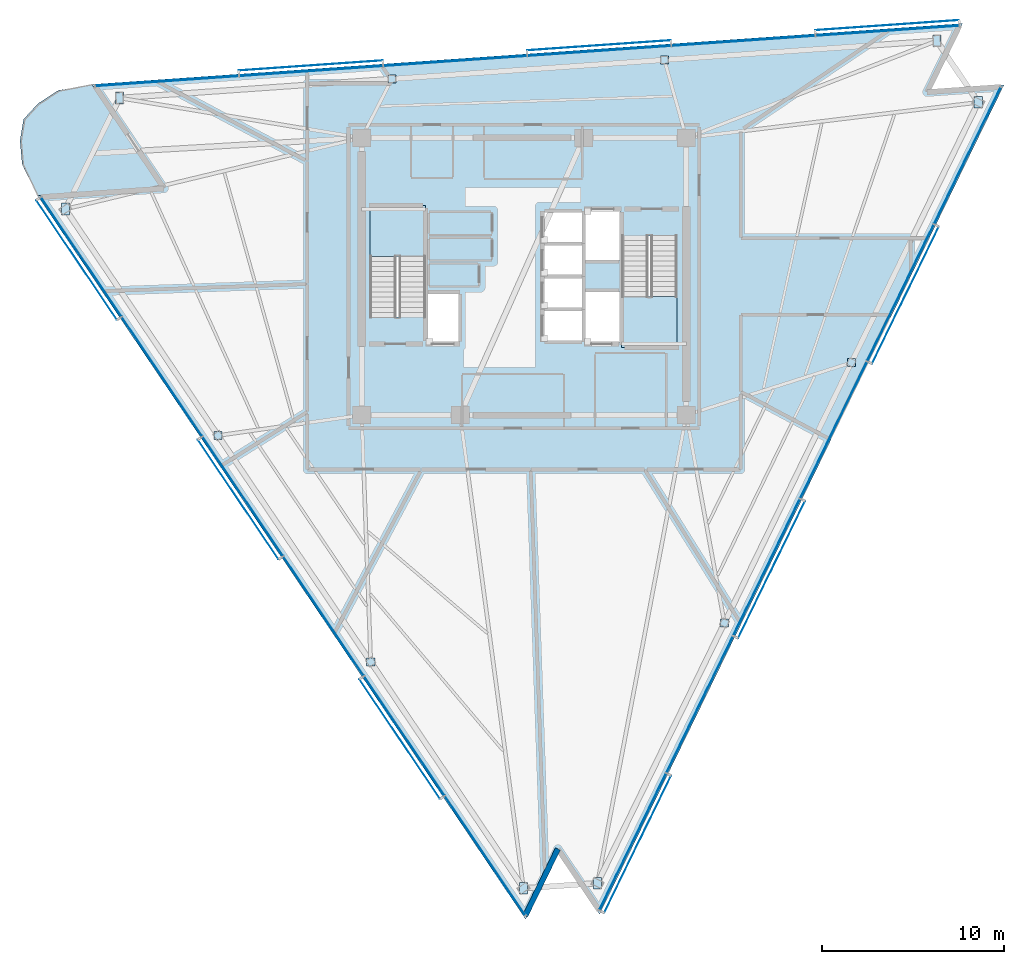
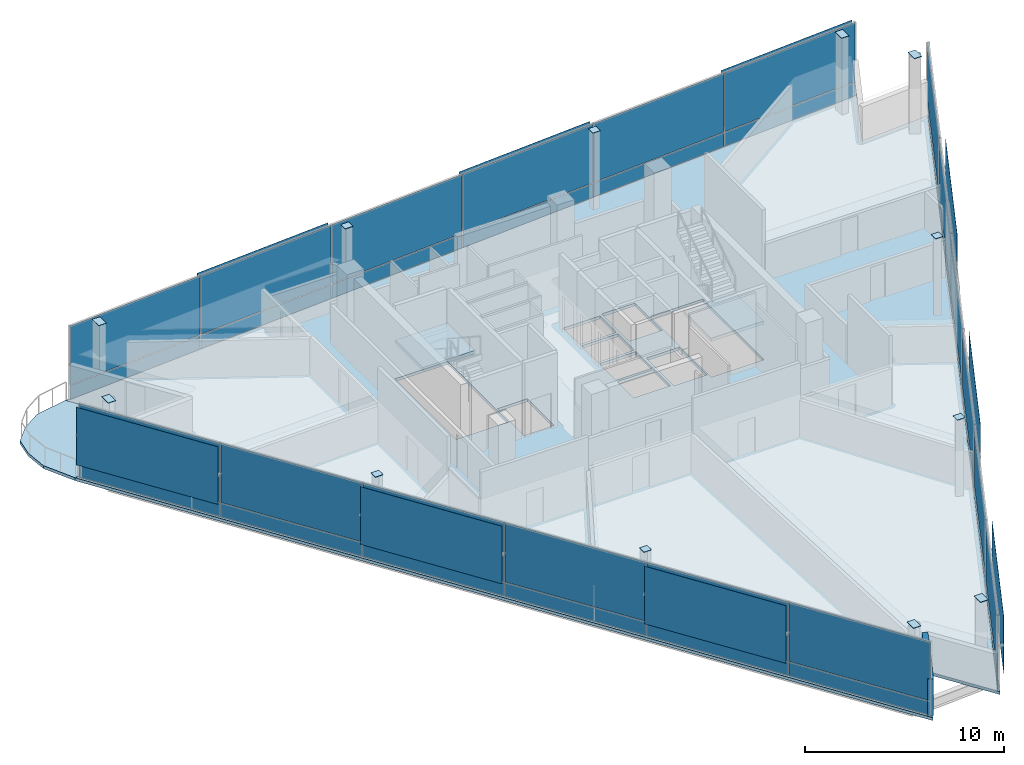
# One storey, part 8 of 16: 57 plates, 4 slabs, 1 wall, 5 elements without a shape of their own.
"""IFC4 building model written with IfcOpenShell, lengths in metres."""

import ifcopenshell
import ifcopenshell.guid

model = None  # the IFC model being written
_history = None  # IfcOwnerHistory: only IFC2X3 demands one
_inside = {}  # id of a spatial element -> (the spatial element, [elements in it])
_under = {}  # id of a project, library or spatial element -> (it, [spatial elements below it])
_declared = {}  # id of a project -> (the project, [libraries it declares])
_typed = {}  # id of a type object -> (the type object, [elements of that type])
_made_of = {}  # id of a material, layer set ... -> (it, [elements and type objects made of it])


def new_model(schema):
    """Start an empty IFC model of exactly this schema.

    Asked for "IFC4X3", IfcOpenShell would pick the latest addendum, in which some entities
    have other attributes; the version numbers below select the first issue.
    IFC2X3 requires an IfcOwnerHistory on every rooted entity: one is made here for all.
    """
    global model, _history
    if schema == "IFC4X3":
        model = ifcopenshell.file(schema_version=(4, 3, 0, 0))
    else:
        model = ifcopenshell.file(schema=schema)
    _inside.clear()
    _under.clear()
    _declared.clear()
    _typed.clear()
    _made_of.clear()
    _history = None
    if model.schema == "IFC2X3":
        org = make("IfcOrganization", Name="unknown")
        user = make(
            "IfcPersonAndOrganization",
            ThePerson=make("IfcPerson", FamilyName="unknown"),
            TheOrganization=org,
        )
        app = make(
            "IfcApplication",
            ApplicationDeveloper=org,
            Version="unknown",
            ApplicationFullName="unknown",
            ApplicationIdentifier="unknown",
        )
        _history = make(
            "IfcOwnerHistory",
            OwningUser=user,
            OwningApplication=app,
            ChangeAction="ADDED",
            CreationDate=0,
        )
    return model


def make(cls, **values):
    """One entity of the class cls with the attributes given. An attribute that is None is left unset."""
    return model.create_entity(
        cls, **{name: value for name, value in values.items() if value is not None}
    )


def rooted(cls, **values):
    """An entity with a GlobalId (a new one), such as an element, a storey or a relation."""
    return make(cls, GlobalId=ifcopenshell.guid.new(), OwnerHistory=_history, **values)


def si_unit(unit_type, name, prefix=None):
    """IfcSIUnit, for example si_unit("LENGTHUNIT", "METRE", prefix="MILLI")."""
    return make("IfcSIUnit", UnitType=unit_type, Prefix=prefix, Name=name)


def assignment(units):
    """IfcUnitAssignment: the units of a project."""
    return None if units is None else make("IfcUnitAssignment", Units=units)


def point(xyz):
    """IfcCartesianPoint."""
    return None if xyz is None else make("IfcCartesianPoint", Coordinates=xyz)


def direction(xyz):
    """IfcDirection."""
    return None if xyz is None else make("IfcDirection", DirectionRatios=xyz)


def frame(location, z_axis=None, x_axis=None):
    """IfcAxis2Placement3D, a coordinate frame: its origin and axes. An axis left out is left unset."""
    return make(
        "IfcAxis2Placement3D",
        Location=point(location),
        Axis=direction(z_axis),
        RefDirection=direction(x_axis),
    )


def frame_2d(location, x_axis=None):
    """IfcAxis2Placement2D, a coordinate frame in the plane: its origin and x axis."""
    return make(
        "IfcAxis2Placement2D", Location=point(location), RefDirection=direction(x_axis)
    )


def origin():
    """The frame at (0, 0, 0) with its axes left unset."""
    return frame((0.0, 0.0, 0.0))


def origin_2d():
    """The frame at (0, 0) in the plane with its x axis left unset."""
    return frame_2d((0.0, 0.0))


def place(relative_to, where):
    """IfcLocalPlacement: puts the frame where relative to a parent placement (None: the world)."""
    return make(
        "IfcLocalPlacement", PlacementRelTo=relative_to, RelativePlacement=where
    )


def context(
    kind, dimensions, precision=None, world=None, true_north=None, identifier=None
):
    """IfcGeometricRepresentationContext, for example the 3D "Model" context."""
    return make(
        "IfcGeometricRepresentationContext",
        ContextIdentifier=identifier,
        ContextType=kind,
        CoordinateSpaceDimension=dimensions,
        Precision=precision,
        WorldCoordinateSystem=world,
        TrueNorth=true_north,
    )


def subcontext(parent, identifier, kind, view, scale=None):
    """IfcGeometricRepresentationSubContext, for example "Body" below "Model"."""
    return make(
        "IfcGeometricRepresentationSubContext",
        ContextIdentifier=identifier,
        ContextType=kind,
        ParentContext=parent,
        TargetScale=scale,
        TargetView=view,
    )


def project(units=None, contexts=None):
    """IfcProject with its units and contexts."""
    return rooted(
        "IfcProject",
        Name="project",
        RepresentationContexts=contexts,
        UnitsInContext=assignment(units),
    )


def spatial(cls, under=None, at=None, **own):
    """A site, building, storey or space (cls), placed at a placement, below another one or the project."""
    s = rooted(cls, ObjectPlacement=at, **own)
    if under is not None:
        _under.setdefault(under.id(), (under, []))[1].append(s)
    return s


def polyline(points):
    """IfcPolyline through the points."""
    return make("IfcPolyline", Points=[point(p) for p in points])


def profile(cls, at=None, kind="AREA", **sizes):
    """A parametric profile (cls). Its sizes go by their IFC names, for example OverallWidth=200.0."""
    return make(cls, ProfileType=kind, Position=at, **sizes)


def rectangle(**sizes):
    """IfcRectangleProfileDef."""
    return profile("IfcRectangleProfileDef", **sizes)


def outline(outer, holes=None, kind="AREA"):
    """IfcArbitraryClosedProfileDef: a profile drawn as a closed curve; with holes, ...WithVoids."""
    if holes is None:
        return make("IfcArbitraryClosedProfileDef", ProfileType=kind, OuterCurve=outer)
    return make(
        "IfcArbitraryProfileDefWithVoids",
        ProfileType=kind,
        OuterCurve=outer,
        InnerCurves=holes,
    )


def extrude(swept, where, along, depth):
    """IfcExtrudedAreaSolid: the profile swept, set in the frame where, extruded along a direction by depth."""
    return make(
        "IfcExtrudedAreaSolid",
        SweptArea=swept,
        Position=where,
        ExtrudedDirection=direction(along),
        Depth=depth,
    )


def shape(context_of_items, identifier, shape_type, items):
    """IfcShapeRepresentation: the items that make up one representation, for example the "Body"."""
    return make(
        "IfcShapeRepresentation",
        ContextOfItems=context_of_items,
        RepresentationIdentifier=identifier,
        RepresentationType=shape_type,
        Items=items,
    )


def material(Name=None, Category=None):
    """IfcMaterial."""
    return make("IfcMaterial", Name=Name, Category=Category)


def layer(
    of_material, thickness, ventilated=None, Name=None, Category=None, Priority=None
):
    """IfcMaterialLayer: one layer of a wall or slab, of a material (None: an air gap)."""
    return make(
        "IfcMaterialLayer",
        Material=of_material,
        LayerThickness=thickness,
        IsVentilated=ventilated,
        Name=Name,
        Category=Category,
        Priority=Priority,
    )


def layer_set(layers, Name=None):
    """IfcMaterialLayerSet."""
    return make("IfcMaterialLayerSet", MaterialLayers=layers, LayerSetName=Name)


def made_of(thing, what):
    """Note that an element or type object is made of a material, layer set ...; save() writes the relation."""
    if what is not None:
        _made_of.setdefault(what.id(), (what, []))[1].append(thing)
    return thing


def type_object(cls, material=None, **own):
    """A type object (cls), such as IfcWallType, which elements share."""
    return made_of(rooted(cls, **own), material)


def element(
    cls,
    number,
    at=None,
    inside=None,
    cuts=None,
    type_object=None,
    material=None,
    context=None,
    identifier="Body",
    shape_type=None,
    held_by="IfcProductDefinitionShape",
    body=None,
    shapes=None,
    **own,
):
    """One element of the class cls, such as IfcWall. Its Tag is "e" and its number.

    at: its placement. inside: the storey or other place that contains it. cuts: it is an
    opening in that element (IfcRelVoidsElement). A single representation is given by context,
    identifier, shape_type and body (its items); several are given by shapes. held_by: the class
    of the entity that holds the representations. save() writes the other relations.
    """
    e = rooted(cls, Tag="e%d" % number, ObjectPlacement=at, **own)
    if body is not None:
        shapes = [shape(context, identifier, shape_type, body)]
    if shapes is not None:
        e.Representation = make(held_by, Representations=shapes)
    if inside is not None:
        _inside.setdefault(inside.id(), (inside, []))[1].append(e)
    if cuts is not None:
        rooted(
            "IfcRelVoidsElement", RelatingBuildingElement=cuts, RelatedOpeningElement=e
        )
    if type_object is not None:
        _typed.setdefault(type_object.id(), (type_object, []))[1].append(e)
    return made_of(e, material)


def aggregate(whole, parts):
    """IfcRelAggregates: a whole, such as a stair, and the parts it consists of."""
    return rooted("IfcRelAggregates", RelatingObject=whole, RelatedObjects=parts)


def save(model, path):
    """Write the relations noted so far, then the file.

    IfcRelAggregates (storeys below a building ...), IfcRelContainedInSpatialStructure (elements
    in a storey), IfcRelDefinesByType, IfcRelAssociatesMaterial and IfcRelDeclares: one each for
    every whole, place, type object, material and project.
    """
    for whole, parts in _under.values():
        aggregate(whole, parts)
    for where, things in _inside.values():
        rooted(
            "IfcRelContainedInSpatialStructure",
            RelatedElements=things,
            RelatingStructure=where,
        )
    for kind, things in _typed.values():
        rooted("IfcRelDefinesByType", RelatedObjects=things, RelatingType=kind)
    for what, things in _made_of.values():
        rooted("IfcRelAssociatesMaterial", RelatedObjects=things, RelatingMaterial=what)
    for by, libraries in _declared.values():
        rooted("IfcRelDeclares", RelatingContext=by, RelatedDefinitions=libraries)
    model.write(path)


model = new_model("IFC4")

# Units and contexts
model_context = context("Model", 3, precision=1e-05, world=origin(), true_north=direction((0.0, 1.0)))
body_context = subcontext(model_context, "Body", "Model", "MODEL_VIEW")
ifc_project = project(units=[si_unit("LENGTHUNIT", "METRE"), si_unit("AREAUNIT", "SQUARE_METRE"), si_unit("VOLUMEUNIT", "CUBIC_METRE"), si_unit("PLANEANGLEUNIT", "RADIAN"), si_unit("MASSUNIT", "GRAM", prefix="KILO")], contexts=[model_context])

# Site, building, storey
site_placement = place(None, origin())
site = spatial("IfcSite", under=ifc_project, at=site_placement, CompositionType="ELEMENT")
building_placement = place(site_placement, origin())
building = spatial("IfcBuilding", under=site, at=building_placement, Name="Tharavind Bronze Gate", CompositionType="ELEMENT")
storey_placement = place(building_placement, frame((0.0, 0.0, 275.0)))
storey = spatial("IfcBuildingStorey", under=building, at=storey_placement, Name="L71", CompositionType="ELEMENT", Elevation=275.0)

# Plates
ifc_material_1 = material(Name="Perforated Bronze Alloy", Category="bronze")
ifc_layer_1 = layer(ifc_material_1, 0.011962890625)
ifc_layer_set_1 = layer_set([ifc_layer_1], Name="Perforated Bronze Alloy")
plate_type_1 = type_object("IfcPlateType", Name="BRONZE PERFORATED SOLAR SCREEN", PredefinedType="USERDEFINED", material=ifc_layer_set_1)
for number, where, z_axis, x_axis, name in (
    (1, (-24.528076171875, 0.904052734375, 0.96630859375), (0.0, 0.0, 1.0), (0.559191456526, -0.82903854853, 0.0), "CW-L71-S1 perforated bronze solar screen 1"),
    (2, (-15.670166015625, -12.228515625, 0.96630859375), (0.0, 0.0, 1.0), (0.559191456526, -0.82903854853, 0.0), "CW-L71-S1 perforated bronze solar screen 3"),
    (3, (-6.812255859375, -25.361083984375, 0.96630859375), (0.0, 0.0, 1.0), (0.559191456526, -0.82903854853, 0.0), "CW-L71-S1 perforated bronze solar screen 5"),
):
    element("IfcPlate", number, at=place(storey_placement, frame(where, z_axis=z_axis, x_axis=x_axis)), inside=storey, type_object=plate_type_1, Name=name, ObjectType="SCREEN", PredefinedType="USERDEFINED", context=body_context, shape_type="SweptSolid", body=[
        extrude(rectangle(XDim=7.900390625, YDim=0.011962890625, at=origin_2d()), origin(), (0.0, 0.0, 1.0), 3.527099609375),
    ])
for number, where, z_axis, x_axis, name in (
    (4, (6.234130859375, -31.12841796875, 0.96630859375), (0.0, 0.0, 1.0), (0.43837271548, 0.898793281196, 0.0), "CW-L71-S2 perforated bronze solar screen 1"),
    (5, (13.57470703125, -16.078369140625, 0.96630859375), (0.0, 0.0, 1.0), (0.43837271548, 0.898793281196, 0.0), "CW-L71-S2 perforated bronze solar screen 3"),
    (6, (20.9150390625, -1.0283203125, 0.96630859375), (0.0, 0.0, 1.0), (0.43837271548, 0.898793281196, 0.0), "CW-L71-S2 perforated bronze solar screen 5"),
):
    element("IfcPlate", number, at=place(storey_placement, frame(where, z_axis=z_axis, x_axis=x_axis)), inside=storey, type_object=plate_type_1, Name=name, ObjectType="SCREEN", PredefinedType="USERDEFINED", context=body_context, shape_type="SweptSolid", body=[
        extrude(rectangle(XDim=8.352294921875, YDim=0.011962890625, at=origin_2d()), origin(), (0.0, 0.0, 1.0), 3.527099609375),
    ])
for number, where, z_axis, x_axis, name in (
    (7, (19.909423828125, 13.779052734375, 0.96630859375), (0.0, 0.0, 1.0), (-0.997563806758, -0.069759955899, 0.0), "CW-L71-S3 perforated bronze solar screen 1"),
    (8, (4.107421875, 12.674072265625, 0.96630859375), (0.0, 0.0, 1.0), (-0.997563806758, -0.069759955899, 0.0), "CW-L71-S3 perforated bronze solar screen 3"),
    (9, (-11.69482421875, 11.569091796875, 0.96630859375), (0.0, 0.0, 1.0), (-0.997563806758, -0.069759955899, 0.0), "CW-L71-S3 perforated bronze solar screen 5"),
):
    element("IfcPlate", number, at=place(storey_placement, frame(where, z_axis=z_axis, x_axis=x_axis)), inside=storey, type_object=plate_type_1, Name=name, ObjectType="SCREEN", PredefinedType="USERDEFINED", context=body_context, shape_type="SweptSolid", body=[
        extrude(rectangle(XDim=7.900390625, YDim=0.011962890625, at=origin_2d()), origin(), (0.0, 0.0, 1.0), 3.527099609375),
    ])

# Curtain wall, plates
ifc_material_2 = material(Name="Anodised Bronze Aluminium", Category="aluminium")
ifc_layer_2 = layer(ifc_material_2, 0.219970703125)
ifc_layer_set_2 = layer_set([ifc_layer_2], Name="Anodised Bronze Aluminium")
curtain_wall_type = type_object("IfcCurtainWallType", Name="UNITISED CURTAIN WALL UPPER OFFICE", PredefinedType="USERDEFINED", material=ifc_layer_set_2)
curtain_wall_1_placement = place(storey_placement, origin())
curtain_wall_1 = element("IfcCurtainWall", 10, at=curtain_wall_1_placement, inside=storey, type_object=curtain_wall_type, Name="L71 unitised curtain wall upper office CW-L71-S1", ObjectType="UNITISED CURTAIN WALL", PredefinedType="USERDEFINED")
ifc_material_3 = material(Name="Patinated Bronze Alloy Sheet", Category="bronze")
ifc_layer_3 = layer(ifc_material_3, 0.01611328125)
ifc_layer_set_3 = layer_set([ifc_layer_3], Name="Patinated Bronze Alloy Sheet")
plate_type_2 = type_object("IfcPlateType", Name="BRONZE SPANDREL CLADDING PANEL 16", PredefinedType="CURTAIN_PANEL", material=ifc_layer_set_3)
plate_1_placement = place(storey_placement, frame((-24.283447265625, 1.069091796875, 0.0263671875), z_axis=(0.0, 0.0, 1.0), x_axis=(0.559191456526, -0.82903854853, 0.0)))
plate_1 = element("IfcPlate", 11, at=plate_1_placement, type_object=plate_type_2, Name="CW-L71-S1 bronze spandrel panel 1", PredefinedType="CURTAIN_PANEL", context=body_context, shape_type="SweptSolid", body=[
    extrude(rectangle(XDim=7.8671875, YDim=0.01611328125, at=origin_2d()), origin(), (0.0, 0.0, 1.0), 0.846923828125),
])
plate_2_placement = place(storey_placement, frame((-19.8544921875, -5.497314453125, 0.0263671875), z_axis=(0.0, 0.0, 1.0), x_axis=(0.559191456526, -0.82903854853, 0.0)))
plate_2 = element("IfcPlate", 12, at=plate_2_placement, type_object=plate_type_2, Name="CW-L71-S1 bronze spandrel panel 2", PredefinedType="CURTAIN_PANEL", context=body_context, shape_type="SweptSolid", body=[
    extrude(rectangle(XDim=7.8671875, YDim=0.01611328125, at=origin_2d()), origin(), (0.0, 0.0, 1.0), 0.846923828125),
])
plate_3_placement = place(storey_placement, frame((-15.425537109375, -12.0634765625, 0.0263671875), z_axis=(0.0, 0.0, 1.0), x_axis=(0.559191456526, -0.82903854853, 0.0)))
plate_3 = element("IfcPlate", 13, at=plate_3_placement, type_object=plate_type_2, Name="CW-L71-S1 bronze spandrel panel 3", PredefinedType="CURTAIN_PANEL", context=body_context, shape_type="SweptSolid", body=[
    extrude(rectangle(XDim=7.8671875, YDim=0.01611328125, at=origin_2d()), origin(), (0.0, 0.0, 1.0), 0.846923828125),
])
plate_4_placement = place(storey_placement, frame((-10.99658203125, -18.629638671875, 0.0263671875), z_axis=(0.0, 0.0, 1.0), x_axis=(0.559191456526, -0.82903854853, 0.0)))
plate_4 = element("IfcPlate", 14, at=plate_4_placement, type_object=plate_type_2, Name="CW-L71-S1 bronze spandrel panel 4", PredefinedType="CURTAIN_PANEL", context=body_context, shape_type="SweptSolid", body=[
    extrude(rectangle(XDim=7.8671875, YDim=0.01611328125, at=origin_2d()), origin(), (0.0, 0.0, 1.0), 0.846923828125),
])
plate_5_placement = place(storey_placement, frame((-6.567626953125, -25.196044921875, 0.0263671875), z_axis=(0.0, 0.0, 1.0), x_axis=(0.559191456526, -0.82903854853, 0.0)))
plate_5 = element("IfcPlate", 15, at=plate_5_placement, type_object=plate_type_2, Name="CW-L71-S1 bronze spandrel panel 5", PredefinedType="CURTAIN_PANEL", context=body_context, shape_type="SweptSolid", body=[
    extrude(rectangle(XDim=7.8671875, YDim=0.01611328125, at=origin_2d()), origin(), (0.0, 0.0, 1.0), 0.846923828125),
])
plate_6_placement = place(storey_placement, frame((-2.138671875, -31.76220703125, 0.0263671875), z_axis=(0.0, 0.0, 1.0), x_axis=(0.559191456526, -0.82903854853, 0.0)))
plate_6 = element("IfcPlate", 16, at=plate_6_placement, type_object=plate_type_2, Name="CW-L71-S1 bronze spandrel panel 6", PredefinedType="CURTAIN_PANEL", context=body_context, shape_type="SweptSolid", body=[
    extrude(rectangle(XDim=7.8671875, YDim=0.01611328125, at=origin_2d()), origin(), (0.0, 0.0, 1.0), 0.846923828125),
])

curtain_wall_2_placement = place(storey_placement, origin())
curtain_wall_2 = element("IfcCurtainWall", 17, at=curtain_wall_2_placement, inside=storey, type_object=curtain_wall_type, Name="L71 unitised curtain wall upper office CW-L71-S2", ObjectType="UNITISED CURTAIN WALL", PredefinedType="USERDEFINED")
plate_7_placement = place(storey_placement, frame((5.968994140625, -30.9990234375, 0.0263671875), z_axis=(0.0, 0.0, 1.0), x_axis=(0.43837271548, 0.898793281196, 0.0)))
plate_7 = element("IfcPlate", 18, at=plate_7_placement, type_object=plate_type_2, Name="CW-L71-S2 bronze spandrel panel 1", PredefinedType="CURTAIN_PANEL", context=body_context, shape_type="SweptSolid", body=[
    extrude(rectangle(XDim=8.3193359375, YDim=0.01611328125, at=origin_2d()), origin(), (0.0, 0.0, 1.0), 0.846923828125),
])
plate_8_placement = place(storey_placement, frame((9.639404296875, -23.47412109375, 0.0263671875), z_axis=(0.0, 0.0, 1.0), x_axis=(0.43837271548, 0.898793281196, 0.0)))
plate_8 = element("IfcPlate", 19, at=plate_8_placement, type_object=plate_type_2, Name="CW-L71-S2 bronze spandrel panel 2", PredefinedType="CURTAIN_PANEL", context=body_context, shape_type="SweptSolid", body=[
    extrude(rectangle(XDim=8.3193359375, YDim=0.01611328125, at=origin_2d()), origin(), (0.0, 0.0, 1.0), 0.846923828125),
])
plate_9_placement = place(storey_placement, frame((13.3095703125, -15.94921875, 0.0263671875), z_axis=(0.0, 0.0, 1.0), x_axis=(0.43837271548, 0.898793281196, 0.0)))
plate_9 = element("IfcPlate", 20, at=plate_9_placement, type_object=plate_type_2, Name="CW-L71-S2 bronze spandrel panel 3", PredefinedType="CURTAIN_PANEL", context=body_context, shape_type="SweptSolid", body=[
    extrude(rectangle(XDim=8.3193359375, YDim=0.01611328125, at=origin_2d()), origin(), (0.0, 0.0, 1.0), 0.846923828125),
])
plate_10_placement = place(storey_placement, frame((16.979736328125, -8.424072265625, 0.0263671875), z_axis=(0.0, 0.0, 1.0), x_axis=(0.43837271548, 0.898793281196, 0.0)))
plate_10 = element("IfcPlate", 21, at=plate_10_placement, type_object=plate_type_2, Name="CW-L71-S2 bronze spandrel panel 4", PredefinedType="CURTAIN_PANEL", context=body_context, shape_type="SweptSolid", body=[
    extrude(rectangle(XDim=8.3193359375, YDim=0.01611328125, at=origin_2d()), origin(), (0.0, 0.0, 1.0), 0.846923828125),
])
plate_11_placement = place(storey_placement, frame((20.64990234375, -0.89892578125, 0.0263671875), z_axis=(0.0, 0.0, 1.0), x_axis=(0.43837271548, 0.898793281196, 0.0)))
plate_11 = element("IfcPlate", 22, at=plate_11_placement, type_object=plate_type_2, Name="CW-L71-S2 bronze spandrel panel 5", PredefinedType="CURTAIN_PANEL", context=body_context, shape_type="SweptSolid", body=[
    extrude(rectangle(XDim=8.3193359375, YDim=0.01611328125, at=origin_2d()), origin(), (0.0, 0.0, 1.0), 0.846923828125),
])
plate_12_placement = place(storey_placement, frame((24.3203125, 6.6259765625, 0.0263671875), z_axis=(0.0, 0.0, 1.0), x_axis=(0.43837271548, 0.898793281196, 0.0)))
plate_12 = element("IfcPlate", 23, at=plate_12_placement, type_object=plate_type_2, Name="CW-L71-S2 bronze spandrel panel 6", PredefinedType="CURTAIN_PANEL", context=body_context, shape_type="SweptSolid", body=[
    extrude(rectangle(XDim=8.3193359375, YDim=0.01611328125, at=origin_2d()), origin(), (0.0, 0.0, 1.0), 0.846923828125),
])

curtain_wall_3_placement = place(storey_placement, origin())
curtain_wall_3 = element("IfcCurtainWall", 24, at=curtain_wall_3_placement, inside=storey, type_object=curtain_wall_type, Name="L71 unitised curtain wall upper office CW-L71-S3", ObjectType="UNITISED CURTAIN WALL", PredefinedType="USERDEFINED")
plate_13_placement = place(storey_placement, frame((19.929931640625, 13.48486328125, 0.0263671875), z_axis=(0.0, 0.0, 1.0), x_axis=(-0.997563806758, -0.069759955899, 0.0)))
plate_13 = element("IfcPlate", 25, at=plate_13_placement, type_object=plate_type_2, Name="CW-L71-S3 bronze spandrel panel 1", PredefinedType="CURTAIN_PANEL", context=body_context, shape_type="SweptSolid", body=[
    extrude(rectangle(XDim=7.8671875, YDim=0.01611328125, at=origin_2d()), origin(), (0.0, 0.0, 1.0), 0.846923828125),
])
plate_14_placement = place(storey_placement, frame((12.02880859375, 12.932373046875, 0.0263671875), z_axis=(0.0, 0.0, 1.0), x_axis=(-0.997563806758, -0.069759955899, 0.0)))
plate_14 = element("IfcPlate", 26, at=plate_14_placement, type_object=plate_type_2, Name="CW-L71-S3 bronze spandrel panel 2", PredefinedType="CURTAIN_PANEL", context=body_context, shape_type="SweptSolid", body=[
    extrude(rectangle(XDim=7.8671875, YDim=0.01611328125, at=origin_2d()), origin(), (0.0, 0.0, 1.0), 0.846923828125),
])
plate_15_placement = place(storey_placement, frame((4.1279296875, 12.3798828125, 0.0263671875), z_axis=(0.0, 0.0, 1.0), x_axis=(-0.997563806758, -0.069759955899, 0.0)))
plate_15 = element("IfcPlate", 27, at=plate_15_placement, type_object=plate_type_2, Name="CW-L71-S3 bronze spandrel panel 3", PredefinedType="CURTAIN_PANEL", context=body_context, shape_type="SweptSolid", body=[
    extrude(rectangle(XDim=7.8671875, YDim=0.01611328125, at=origin_2d()), origin(), (0.0, 0.0, 1.0), 0.846923828125),
])
plate_16_placement = place(storey_placement, frame((-3.773193359375, 11.827392578125, 0.0263671875), z_axis=(0.0, 0.0, 1.0), x_axis=(-0.997563806758, -0.069759955899, 0.0)))
plate_16 = element("IfcPlate", 28, at=plate_16_placement, type_object=plate_type_2, Name="CW-L71-S3 bronze spandrel panel 4", PredefinedType="CURTAIN_PANEL", context=body_context, shape_type="SweptSolid", body=[
    extrude(rectangle(XDim=7.8671875, YDim=0.01611328125, at=origin_2d()), origin(), (0.0, 0.0, 1.0), 0.846923828125),
])
plate_17_placement = place(storey_placement, frame((-11.67431640625, 11.27490234375, 0.0263671875), z_axis=(0.0, 0.0, 1.0), x_axis=(-0.997563806758, -0.069759955899, 0.0)))
plate_17 = element("IfcPlate", 29, at=plate_17_placement, type_object=plate_type_2, Name="CW-L71-S3 bronze spandrel panel 5", PredefinedType="CURTAIN_PANEL", context=body_context, shape_type="SweptSolid", body=[
    extrude(rectangle(XDim=7.8671875, YDim=0.01611328125, at=origin_2d()), origin(), (0.0, 0.0, 1.0), 0.846923828125),
])
plate_18_placement = place(storey_placement, frame((-19.5751953125, 10.722412109375, 0.0263671875), z_axis=(0.0, 0.0, 1.0), x_axis=(-0.997563806758, -0.069759955899, 0.0)))
plate_18 = element("IfcPlate", 30, at=plate_18_placement, type_object=plate_type_2, Name="CW-L71-S3 bronze spandrel panel 6", PredefinedType="CURTAIN_PANEL", context=body_context, shape_type="SweptSolid", body=[
    extrude(rectangle(XDim=7.8671875, YDim=0.01611328125, at=origin_2d()), origin(), (0.0, 0.0, 1.0), 0.846923828125),
])

# Slab
ifc_material_4 = material(Name="Concrete C40/50", Category="concrete")
ifc_layer_4 = layer(ifc_material_4, 0.179931640625)
ifc_layer_set_4 = layer_set([ifc_layer_4], Name="Concrete C40/50")
slab_type_1 = type_object("IfcSlabType", Name="EXTERIOR BALCONY SLAB 180", PredefinedType="FLOOR", material=ifc_layer_set_4)
slab_1_placement = place(storey_placement, frame((0.0, 0.0, -0.179931640625)))
element("IfcSlab", 31, at=slab_1_placement, inside=storey, type_object=slab_type_1, Name="L71 northeast tree balcony slab", PredefinedType="FLOOR", context=body_context, shape_type="SweptSolid", body=[
    extrude(outline(polyline([(-25.535888671875, 10.203125), (-26.644287109375, 9.48681640625), (-27.443359375, 8.618896484375), (-27.63525390625, 7.455322265625), (-27.51708984375, 6.140625), (-26.677734375, 4.43994140625), (-19.914306640625, 4.912841796875), (-23.70556640625, 10.53369140625), (-25.535888671875, 10.203125)])), origin(), (0.0, 0.0, 1.0), 0.179931640625),
])

# Stair, slab
stair_type = type_object("IfcStairType", Name="CORE HALF TURN STAIR 1450", PredefinedType="HALF_TURN_STAIR", material=ifc_material_4)
stair_1_placement = place(storey_placement, origin())
stair_1 = element("IfcStair", 32, at=stair_1_placement, inside=storey, type_object=stair_type, Name="L71 Protected Exit Stair ST1", PredefinedType="HALF_TURN_STAIR")
ifc_layer_5 = layer(ifc_material_4, 0.199951171875)
ifc_layer_set_5 = layer_set([ifc_layer_5], Name="Concrete C40/50")
slab_type_2 = type_object("IfcSlabType", Name="STAIR LANDING SLAB 200", PredefinedType="LANDING", material=ifc_layer_set_5)
slab_2_placement = place(storey_placement, frame((0.0, 0.0, 2.175048828125)))
slab_2 = element("IfcSlab", 33, at=slab_2_placement, type_object=slab_type_2, Name="ST1 landing 1", PredefinedType="LANDING", context=body_context, shape_type="SweptSolid", body=[
    extrude(outline(polyline([(-5.39990234375, 1.110107421875), (-5.39990234375, 3.89990234375), (-8.449951171875, 3.89990234375), (-8.449951171875, 1.110107421875), (-5.39990234375, 1.110107421875)])), origin(), (0.0, 0.0, 1.0), 0.199951171875),
])
aggregate(stair_1, [slab_2])

stair_2_placement = place(storey_placement, origin())
stair_2 = element("IfcStair", 34, at=stair_2_placement, inside=storey, type_object=stair_type, Name="L71 Protected Exit Stair ST2", PredefinedType="HALF_TURN_STAIR")
slab_3_placement = place(storey_placement, frame((0.0, 0.0, 2.175048828125)))
slab_3 = element("IfcSlab", 35, at=slab_3_placement, type_object=slab_type_2, Name="ST2 landing 1", PredefinedType="LANDING", context=body_context, shape_type="SweptSolid", body=[
    extrude(outline(polyline([(5.35009765625, -1.110107421875), (5.35009765625, -3.89990234375), (8.39990234375, -3.89990234375), (8.39990234375, -1.110107421875), (5.35009765625, -1.110107421875)])), origin(), (0.0, 0.0, 1.0), 0.199951171875),
])
aggregate(stair_2, [slab_3])

# Plates
ifc_material_5 = material(Name="Steel S460", Category="steel")
ifc_layer_6 = layer(ifc_material_5, 0.02490234375)
ifc_layer_set_6 = layer_set([ifc_layer_6], Name="Steel S460")
plate_type_3 = type_object("IfcPlateType", Name="STEEL END CAP SHEET 25", PredefinedType="SHEET", material=ifc_layer_set_6)
plate_19_placement = place(storey_placement, frame((-25.14990234375, 3.694580078125, 4.737548828125), z_axis=(0.0, 0.0, 1.0), x_axis=(1.0, 0.0, 0.0)))
element("IfcPlate", 36, at=plate_19_placement, inside=storey, type_object=plate_type_3, Name="Steel end cap plate CAP-COLT-L71-S1C1", PredefinedType="SHEET", context=body_context, shape_type="SweptSolid", body=[
    extrude(rectangle(XDim=0.445068359375, YDim=0.64501953125, at=origin_2d()), origin(), (0.0, 0.0, 1.0), 0.02490234375),
])
for number, where, z_axis, x_axis, name in (
    (37, (-16.776123046875, -8.719970703125, 4.737548828125), (0.0, 0.0, 1.0), (1.0, 0.0, 0.0), "Steel end cap plate CAP-COLT-L71-S1C2"),
    (38, (-8.40234375, -21.134521484375, 4.737548828125), (0.0, 0.0, 1.0), (1.0, 0.0, 0.0), "Steel end cap plate CAP-COLT-L71-S1C3"),
):
    element("IfcPlate", number, at=place(storey_placement, frame(where, z_axis=z_axis, x_axis=x_axis)), inside=storey, type_object=plate_type_3, Name=name, PredefinedType="SHEET", context=body_context, shape_type="SweptSolid", body=[
        extrude(rectangle(XDim=0.445068359375, YDim=0.445068359375, at=origin_2d()), origin(), (0.0, 0.0, 1.0), 0.02490234375),
    ])
for number, where, z_axis, x_axis, name in (
    (39, (-0.02880859375, -33.549072265625, 4.737548828125), (0.0, 0.0, 1.0), (1.0, 0.0, 0.0), "Steel end cap plate CAP-COLT-L71-S1C4"),
    (40, (4.029296875, -33.26513671875, 4.737548828125), (0.0, 0.0, 1.0), (1.0, 0.0, 0.0), "Steel end cap plate CAP-COLT-L71-S2C1"),
):
    element("IfcPlate", number, at=place(storey_placement, frame(where, z_axis=z_axis, x_axis=x_axis)), inside=storey, type_object=plate_type_3, Name=name, PredefinedType="SHEET", context=body_context, shape_type="SweptSolid", body=[
        extrude(rectangle(XDim=0.445068359375, YDim=0.64501953125, at=origin_2d()), origin(), (0.0, 0.0, 1.0), 0.02490234375),
    ])
for number, where, z_axis, x_axis, name in (
    (41, (10.990234375, -18.99365234375, 4.737548828125), (0.0, 0.0, 1.0), (1.0, 0.0, 0.0), "Steel end cap plate CAP-COLT-L71-S2C2"),
    (42, (17.950927734375, -4.721923828125, 4.737548828125), (0.0, 0.0, 1.0), (1.0, 0.0, 0.0), "Steel end cap plate CAP-COLT-L71-S2C3"),
):
    element("IfcPlate", number, at=place(storey_placement, frame(where, z_axis=z_axis, x_axis=x_axis)), inside=storey, type_object=plate_type_3, Name=name, PredefinedType="SHEET", context=body_context, shape_type="SweptSolid", body=[
        extrude(rectangle(XDim=0.445068359375, YDim=0.445068359375, at=origin_2d()), origin(), (0.0, 0.0, 1.0), 0.02490234375),
    ])
for number, where, z_axis, x_axis, name in (
    (43, (24.91162109375, 9.5498046875, 4.737548828125), (0.0, 0.0, 1.0), (1.0, 0.0, 0.0), "Steel end cap plate CAP-COLT-L71-S2C4"),
    (44, (22.636962890625, 12.92236328125, 4.737548828125), (0.0, 0.0, 1.0), (1.0, 0.0, 0.0), "Steel end cap plate CAP-COLT-L71-S3C1"),
):
    element("IfcPlate", number, at=place(storey_placement, frame(where, z_axis=z_axis, x_axis=x_axis)), inside=storey, type_object=plate_type_3, Name=name, PredefinedType="SHEET", context=body_context, shape_type="SweptSolid", body=[
        extrude(rectangle(XDim=0.445068359375, YDim=0.64501953125, at=origin_2d()), origin(), (0.0, 0.0, 1.0), 0.02490234375),
    ])
for number, where, z_axis, x_axis, name in (
    (45, (7.69873046875, 11.877685546875, 4.737548828125), (0.0, 0.0, 1.0), (1.0, 0.0, 0.0), "Steel end cap plate CAP-COLT-L71-S3C2"),
    (46, (-7.239501953125, 10.8330078125, 4.737548828125), (0.0, 0.0, 1.0), (1.0, 0.0, 0.0), "Steel end cap plate CAP-COLT-L71-S3C3"),
):
    element("IfcPlate", number, at=place(storey_placement, frame(where, z_axis=z_axis, x_axis=x_axis)), inside=storey, type_object=plate_type_3, Name=name, PredefinedType="SHEET", context=body_context, shape_type="SweptSolid", body=[
        extrude(rectangle(XDim=0.445068359375, YDim=0.445068359375, at=origin_2d()), origin(), (0.0, 0.0, 1.0), 0.02490234375),
    ])
plate_20_placement = place(storey_placement, frame((-22.177490234375, 9.78857421875, 4.737548828125), z_axis=(0.0, 0.0, 1.0), x_axis=(1.0, 0.0, 0.0)))
element("IfcPlate", 47, at=plate_20_placement, inside=storey, type_object=plate_type_3, Name="Steel end cap plate CAP-COLT-L71-S3C4", PredefinedType="SHEET", context=body_context, shape_type="SweptSolid", body=[
    extrude(rectangle(XDim=0.445068359375, YDim=0.64501953125, at=origin_2d()), origin(), (0.0, 0.0, 1.0), 0.02490234375),
])

# Slab
ifc_layer_7 = layer(ifc_material_4, 0.179931640625)
ifc_layer_set_7 = layer_set([ifc_layer_7], Name="Concrete C40/50")
slab_type_3 = type_object("IfcSlabType", Name="STRUCTURAL FLOOR SLAB 180", PredefinedType="FLOOR", material=ifc_layer_set_7)
slab_4_placement = place(storey_placement, frame((0.0, 0.0, -0.179931640625)))
element("IfcSlab", 48, at=slab_4_placement, inside=storey, type_object=slab_type_3, Name="L71 main structural floor slab", PredefinedType="FLOOR", context=body_context, shape_type="SweptSolid", body=[
    extrude(outline(polyline([(-23.70556640625, 10.53369140625), (-19.914306640625, 4.912841796875), (-26.677734375, 4.43994140625), (0.08984375, -35.244873046875), (1.873291015625, -31.588623046875), (4.14794921875, -34.961181640625), (26.321044921875, 10.500244140625), (22.262939453125, 10.216552734375), (24.04638671875, 13.872802734375), (-23.70556640625, 10.53369140625)]), holes=[polyline([(-5.39990234375, -2.215087890625), (-5.39990234375, 3.89990234375), (-8.449951171875, 3.89990234375), (-8.449951171875, -2.215087890625), (-5.39990234375, -2.215087890625)]), polyline([(5.35009765625, 2.215087890625), (5.35009765625, -3.89990234375), (8.39990234375, -3.89990234375), (8.39990234375, 2.215087890625), (5.35009765625, 2.215087890625)]), polyline([(1.080078125, -3.52001953125), (3.199951171875, -3.52001953125), (3.199951171875, -1.8798828125), (1.080078125, -1.8798828125), (1.080078125, -3.52001953125)]), polyline([(1.080078125, -1.719970703125), (3.199951171875, -1.719970703125), (3.199951171875, -0.080078125), (1.080078125, -0.080078125), (1.080078125, -1.719970703125)]), polyline([(1.080078125, 0.080078125), (3.199951171875, 0.080078125), (3.199951171875, 1.719970703125), (1.080078125, 1.719970703125), (1.080078125, 0.080078125)]), polyline([(1.080078125, 1.8798828125), (3.199951171875, 1.8798828125), (3.199951171875, 3.52001953125), (1.080078125, 3.52001953125), (1.080078125, 1.8798828125)]), polyline([(-5.320068359375, -3.6201171875), (-3.580078125, -3.6201171875), (-3.580078125, -0.929931640625), (-5.320068359375, -0.929931640625), (-5.320068359375, -3.6201171875)]), polyline([(3.360107421875, 0.8798828125), (5.27001953125, 0.8798828125), (5.27001953125, 3.6201171875), (3.360107421875, 3.6201171875), (3.360107421875, 0.8798828125)]), polyline([(3.360107421875, -3.6201171875), (5.27001953125, -3.6201171875), (5.27001953125, -0.830078125), (3.360107421875, -0.830078125), (3.360107421875, -3.6201171875)])]), origin(), (0.0, 0.0, 1.0), 0.179931640625),
])

# Plate
ifc_material_6 = material(Name="Triple Solar Control Glazing", Category="glass")
ifc_layer_8 = layer(ifc_material_6, 0.0439453125)
ifc_layer_set_8 = layer_set([ifc_layer_8], Name="Triple Solar Control Glazing")
plate_type_4 = type_object("IfcPlateType", Name="TRIPLE GLAZED FACADE PANEL 44", PredefinedType="CURTAIN_PANEL", material=ifc_layer_set_8)
plate_21_placement = place(storey_placement, frame((-24.283447265625, 1.069091796875, 0.926513671875), z_axis=(0.0, 0.0, 1.0), x_axis=(0.559191456526, -0.82903854853, 0.0)))
plate_21 = element("IfcPlate", 49, at=plate_21_placement, type_object=plate_type_4, Name="CW-L71-S1 vision glazing panel 1", PredefinedType="CURTAIN_PANEL", context=body_context, shape_type="SweptSolid", body=[
    extrude(rectangle(XDim=7.8671875, YDim=0.0439453125, at=origin_2d()), origin(), (0.0, 0.0, 1.0), 3.60693359375),
])

plate_22_placement = place(storey_placement, frame((-19.8544921875, -5.497314453125, 0.926513671875), z_axis=(0.0, 0.0, 1.0), x_axis=(0.559191456526, -0.82903854853, 0.0)))
plate_22 = element("IfcPlate", 50, at=plate_22_placement, type_object=plate_type_4, Name="CW-L71-S1 vision glazing panel 2", PredefinedType="CURTAIN_PANEL", context=body_context, shape_type="SweptSolid", body=[
    extrude(rectangle(XDim=7.8671875, YDim=0.0439453125, at=origin_2d()), origin(), (0.0, 0.0, 1.0), 3.60693359375),
])

plate_23_placement = place(storey_placement, frame((-15.425537109375, -12.0634765625, 0.926513671875), z_axis=(0.0, 0.0, 1.0), x_axis=(0.559191456526, -0.82903854853, 0.0)))
plate_23 = element("IfcPlate", 51, at=plate_23_placement, type_object=plate_type_4, Name="CW-L71-S1 vision glazing panel 3", PredefinedType="CURTAIN_PANEL", context=body_context, shape_type="SweptSolid", body=[
    extrude(rectangle(XDim=7.8671875, YDim=0.0439453125, at=origin_2d()), origin(), (0.0, 0.0, 1.0), 3.60693359375),
])

plate_24_placement = place(storey_placement, frame((-10.99658203125, -18.629638671875, 0.926513671875), z_axis=(0.0, 0.0, 1.0), x_axis=(0.559191456526, -0.82903854853, 0.0)))
plate_24 = element("IfcPlate", 52, at=plate_24_placement, type_object=plate_type_4, Name="CW-L71-S1 vision glazing panel 4", PredefinedType="CURTAIN_PANEL", context=body_context, shape_type="SweptSolid", body=[
    extrude(rectangle(XDim=7.8671875, YDim=0.0439453125, at=origin_2d()), origin(), (0.0, 0.0, 1.0), 3.60693359375),
])

plate_25_placement = place(storey_placement, frame((-6.567626953125, -25.196044921875, 0.926513671875), z_axis=(0.0, 0.0, 1.0), x_axis=(0.559191456526, -0.82903854853, 0.0)))
plate_25 = element("IfcPlate", 53, at=plate_25_placement, type_object=plate_type_4, Name="CW-L71-S1 vision glazing panel 5", PredefinedType="CURTAIN_PANEL", context=body_context, shape_type="SweptSolid", body=[
    extrude(rectangle(XDim=7.8671875, YDim=0.0439453125, at=origin_2d()), origin(), (0.0, 0.0, 1.0), 3.60693359375),
])

plate_26_placement = place(storey_placement, frame((-2.138671875, -31.76220703125, 0.926513671875), z_axis=(0.0, 0.0, 1.0), x_axis=(0.559191456526, -0.82903854853, 0.0)))
plate_26 = element("IfcPlate", 54, at=plate_26_placement, type_object=plate_type_4, Name="CW-L71-S1 vision glazing panel 6", PredefinedType="CURTAIN_PANEL", context=body_context, shape_type="SweptSolid", body=[
    extrude(rectangle(XDim=7.8671875, YDim=0.0439453125, at=origin_2d()), origin(), (0.0, 0.0, 1.0), 3.60693359375),
])

aggregate(curtain_wall_1, [plate_1, plate_21, plate_2, plate_22, plate_3, plate_23, plate_4, plate_24, plate_5, plate_25, plate_6, plate_26])

plate_27_placement = place(storey_placement, frame((5.968994140625, -30.9990234375, 0.926513671875), z_axis=(0.0, 0.0, 1.0), x_axis=(0.43837271548, 0.898793281196, 0.0)))
plate_27 = element("IfcPlate", 55, at=plate_27_placement, type_object=plate_type_4, Name="CW-L71-S2 vision glazing panel 1", PredefinedType="CURTAIN_PANEL", context=body_context, shape_type="SweptSolid", body=[
    extrude(rectangle(XDim=8.3193359375, YDim=0.0439453125, at=origin_2d()), origin(), (0.0, 0.0, 1.0), 3.60693359375),
])

plate_28_placement = place(storey_placement, frame((9.639404296875, -23.47412109375, 0.926513671875), z_axis=(0.0, 0.0, 1.0), x_axis=(0.43837271548, 0.898793281196, 0.0)))
plate_28 = element("IfcPlate", 56, at=plate_28_placement, type_object=plate_type_4, Name="CW-L71-S2 vision glazing panel 2", PredefinedType="CURTAIN_PANEL", context=body_context, shape_type="SweptSolid", body=[
    extrude(rectangle(XDim=8.3193359375, YDim=0.0439453125, at=origin_2d()), origin(), (0.0, 0.0, 1.0), 3.60693359375),
])

plate_29_placement = place(storey_placement, frame((13.3095703125, -15.94921875, 0.926513671875), z_axis=(0.0, 0.0, 1.0), x_axis=(0.43837271548, 0.898793281196, 0.0)))
plate_29 = element("IfcPlate", 57, at=plate_29_placement, type_object=plate_type_4, Name="CW-L71-S2 vision glazing panel 3", PredefinedType="CURTAIN_PANEL", context=body_context, shape_type="SweptSolid", body=[
    extrude(rectangle(XDim=8.3193359375, YDim=0.0439453125, at=origin_2d()), origin(), (0.0, 0.0, 1.0), 3.60693359375),
])

plate_30_placement = place(storey_placement, frame((16.979736328125, -8.424072265625, 0.926513671875), z_axis=(0.0, 0.0, 1.0), x_axis=(0.43837271548, 0.898793281196, 0.0)))
plate_30 = element("IfcPlate", 58, at=plate_30_placement, type_object=plate_type_4, Name="CW-L71-S2 vision glazing panel 4", PredefinedType="CURTAIN_PANEL", context=body_context, shape_type="SweptSolid", body=[
    extrude(rectangle(XDim=8.3193359375, YDim=0.0439453125, at=origin_2d()), origin(), (0.0, 0.0, 1.0), 3.60693359375),
])

plate_31_placement = place(storey_placement, frame((20.64990234375, -0.89892578125, 0.926513671875), z_axis=(0.0, 0.0, 1.0), x_axis=(0.43837271548, 0.898793281196, 0.0)))
plate_31 = element("IfcPlate", 59, at=plate_31_placement, type_object=plate_type_4, Name="CW-L71-S2 vision glazing panel 5", PredefinedType="CURTAIN_PANEL", context=body_context, shape_type="SweptSolid", body=[
    extrude(rectangle(XDim=8.3193359375, YDim=0.0439453125, at=origin_2d()), origin(), (0.0, 0.0, 1.0), 3.60693359375),
])

plate_32_placement = place(storey_placement, frame((24.3203125, 6.6259765625, 0.926513671875), z_axis=(0.0, 0.0, 1.0), x_axis=(0.43837271548, 0.898793281196, 0.0)))
plate_32 = element("IfcPlate", 60, at=plate_32_placement, type_object=plate_type_4, Name="CW-L71-S2 vision glazing panel 6", PredefinedType="CURTAIN_PANEL", context=body_context, shape_type="SweptSolid", body=[
    extrude(rectangle(XDim=8.3193359375, YDim=0.0439453125, at=origin_2d()), origin(), (0.0, 0.0, 1.0), 3.60693359375),
])

aggregate(curtain_wall_2, [plate_7, plate_27, plate_8, plate_28, plate_9, plate_29, plate_10, plate_30, plate_11, plate_31, plate_12, plate_32])

plate_33_placement = place(storey_placement, frame((19.929931640625, 13.48486328125, 0.926513671875), z_axis=(0.0, 0.0, 1.0), x_axis=(-0.997563806758, -0.069759955899, 0.0)))
plate_33 = element("IfcPlate", 61, at=plate_33_placement, type_object=plate_type_4, Name="CW-L71-S3 vision glazing panel 1", PredefinedType="CURTAIN_PANEL", context=body_context, shape_type="SweptSolid", body=[
    extrude(rectangle(XDim=7.8671875, YDim=0.0439453125, at=origin_2d()), origin(), (0.0, 0.0, 1.0), 3.60693359375),
])

plate_34_placement = place(storey_placement, frame((12.02880859375, 12.932373046875, 0.926513671875), z_axis=(0.0, 0.0, 1.0), x_axis=(-0.997563806758, -0.069759955899, 0.0)))
plate_34 = element("IfcPlate", 62, at=plate_34_placement, type_object=plate_type_4, Name="CW-L71-S3 vision glazing panel 2", PredefinedType="CURTAIN_PANEL", context=body_context, shape_type="SweptSolid", body=[
    extrude(rectangle(XDim=7.8671875, YDim=0.0439453125, at=origin_2d()), origin(), (0.0, 0.0, 1.0), 3.60693359375),
])

plate_35_placement = place(storey_placement, frame((4.1279296875, 12.3798828125, 0.926513671875), z_axis=(0.0, 0.0, 1.0), x_axis=(-0.997563806758, -0.069759955899, 0.0)))
plate_35 = element("IfcPlate", 63, at=plate_35_placement, type_object=plate_type_4, Name="CW-L71-S3 vision glazing panel 3", PredefinedType="CURTAIN_PANEL", context=body_context, shape_type="SweptSolid", body=[
    extrude(rectangle(XDim=7.8671875, YDim=0.0439453125, at=origin_2d()), origin(), (0.0, 0.0, 1.0), 3.60693359375),
])

plate_36_placement = place(storey_placement, frame((-3.773193359375, 11.827392578125, 0.926513671875), z_axis=(0.0, 0.0, 1.0), x_axis=(-0.997563806758, -0.069759955899, 0.0)))
plate_36 = element("IfcPlate", 64, at=plate_36_placement, type_object=plate_type_4, Name="CW-L71-S3 vision glazing panel 4", PredefinedType="CURTAIN_PANEL", context=body_context, shape_type="SweptSolid", body=[
    extrude(rectangle(XDim=7.8671875, YDim=0.0439453125, at=origin_2d()), origin(), (0.0, 0.0, 1.0), 3.60693359375),
])

plate_37_placement = place(storey_placement, frame((-11.67431640625, 11.27490234375, 0.926513671875), z_axis=(0.0, 0.0, 1.0), x_axis=(-0.997563806758, -0.069759955899, 0.0)))
plate_37 = element("IfcPlate", 65, at=plate_37_placement, type_object=plate_type_4, Name="CW-L71-S3 vision glazing panel 5", PredefinedType="CURTAIN_PANEL", context=body_context, shape_type="SweptSolid", body=[
    extrude(rectangle(XDim=7.8671875, YDim=0.0439453125, at=origin_2d()), origin(), (0.0, 0.0, 1.0), 3.60693359375),
])

plate_38_placement = place(storey_placement, frame((-19.5751953125, 10.722412109375, 0.926513671875), z_axis=(0.0, 0.0, 1.0), x_axis=(-0.997563806758, -0.069759955899, 0.0)))
plate_38 = element("IfcPlate", 66, at=plate_38_placement, type_object=plate_type_4, Name="CW-L71-S3 vision glazing panel 6", PredefinedType="CURTAIN_PANEL", context=body_context, shape_type="SweptSolid", body=[
    extrude(rectangle(XDim=7.8671875, YDim=0.0439453125, at=origin_2d()), origin(), (0.0, 0.0, 1.0), 3.60693359375),
])

aggregate(curtain_wall_3, [plate_13, plate_33, plate_14, plate_34, plate_15, plate_35, plate_16, plate_36, plate_17, plate_37, plate_18, plate_38])

# Wall
ifc_layer_9 = layer(ifc_material_4, 0.300048828125)
ifc_layer_set_9 = layer_set([ifc_layer_9], Name="Concrete C40/50")
wall_type = type_object("IfcWallType", Name="EXTERIOR SPANDREL WALL 300", PredefinedType="STANDARD", material=ifc_layer_set_9)
wall_placement = place(storey_placement, frame((0.075927734375, -35.04541015625, 0.0), z_axis=(0.0, 0.0, 1.0), x_axis=(0.438357414153, 0.898800744024, 0.0)))
element("IfcWall", 67, at=wall_placement, inside=storey, type_object=wall_type, Name="L71 notch cheek wall 2A", PredefinedType="STANDARD", context=body_context, shape_type="SweptSolid", body=[
    extrude(rectangle(XDim=4.06787109375, YDim=0.300048828125, at=frame_2d((2.033935546875, 0.0))), origin(), (0.0, 0.0, 1.0), 2.2548828125),
])

save(model, "model.ifc")
